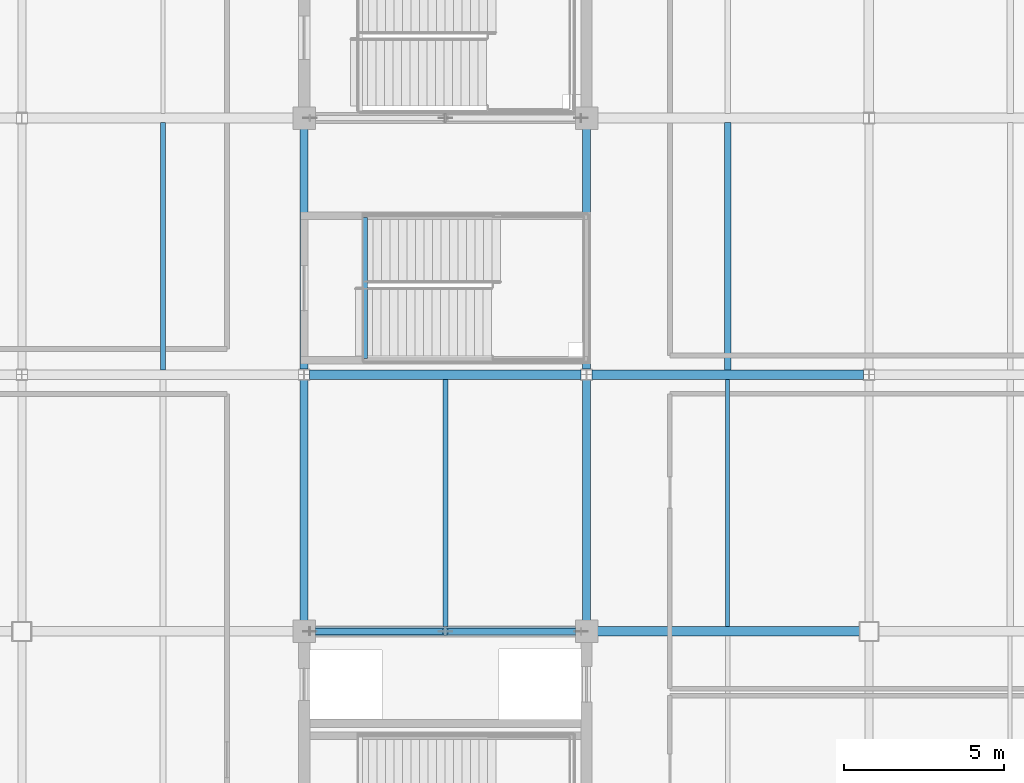
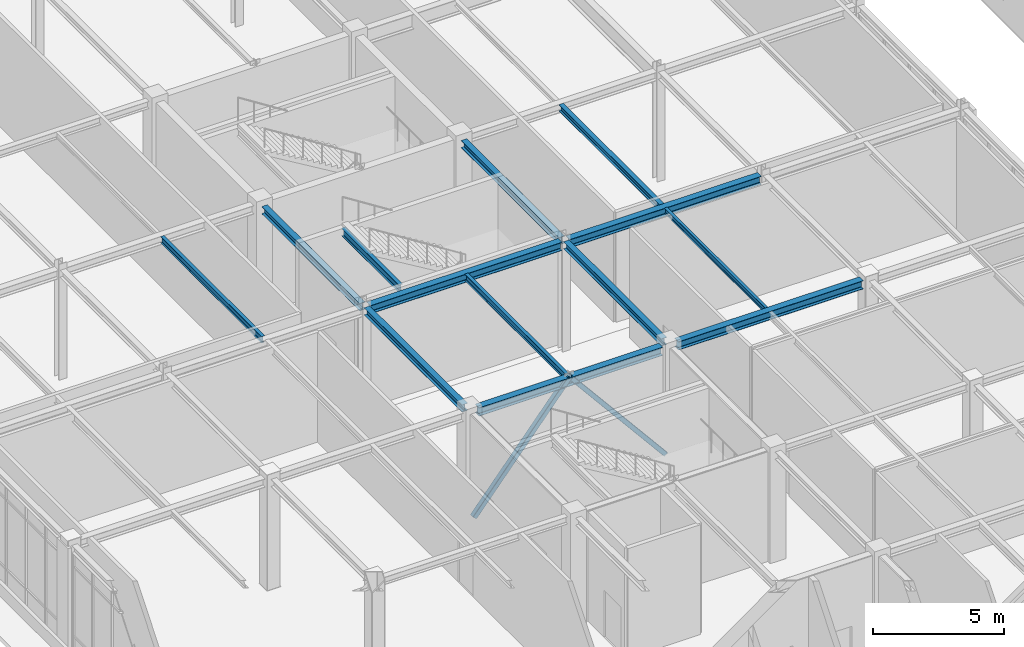
# One storey, part 38 of 108: 13 beams, 2 members.
"""IFC4 building model written with IfcOpenShell, lengths in metres."""

from ifc_helpers import new_model, si_unit, direction, frame, origin, origin_2d, place, context, subcontext, project, spatial, hollow_rectangle, i_section, extrude, material, material_profile, profile_set, type_object, element, save


model = new_model("IFC4")

# Units and contexts
model_context = context("Model", 3, precision=1e-05, world=origin(), true_north=direction((0.0, 1.0)))
body_context = subcontext(model_context, "Body", "Model", "MODEL_VIEW")
ifc_project = project(units=[si_unit("LENGTHUNIT", "METRE"), si_unit("AREAUNIT", "SQUARE_METRE"), si_unit("VOLUMEUNIT", "CUBIC_METRE"), si_unit("PLANEANGLEUNIT", "RADIAN"), si_unit("MASSUNIT", "GRAM", prefix="KILO")], contexts=[model_context])

# Site, building, storey
site_placement = place(None, origin())
site = spatial("IfcSite", under=ifc_project, at=site_placement, CompositionType="ELEMENT")
building_placement = place(site_placement, origin())
building = spatial("IfcBuilding", under=site, at=building_placement, Name="Zhaolan Boulevard Law Courts", CompositionType="ELEMENT")
storey_placement = place(building_placement, frame((0.0, 0.0, 10.800048828125)))
storey = spatial("IfcBuildingStorey", under=building, at=storey_placement, Name="L02", CompositionType="ELEMENT", Elevation=10.800048828125)

# Members
ifc_material_1 = material(Name="Structural steel Q355B", Category="steel")
ifc_material_profile_1 = material_profile(ifc_material_1, hollow_rectangle(XDim=0.199951171875, YDim=0.199951171875, WallThickness=0.010009765625, InnerFilletRadius=0.010009765625, OuterFilletRadius=0.02001953125, at=origin_2d()), Name="HSS200x200x10")
ifc_profile_set_1 = profile_set([ifc_material_profile_1], Name="Structural steel Q355B")
member_type_1 = type_object("IfcMemberType", Name="BRACE HSS200", PredefinedType="BRACE", material=ifc_profile_set_1)
member_1_placement = place(storey_placement, frame((26.219970703125, 70.0, 0.030029296875), z_axis=(-0.638257420724, 0.0, 0.769823008808), x_axis=(0.0, -1.0, 0.0)))
element("IfcMember", 1, at=member_1_placement, inside=storey, type_object=member_type_1, Name="Core Brace BR-W2-L02-N2", PredefinedType="BRACE", context=body_context, shape_type="SweptSolid", body=[
    extrude(hollow_rectangle(XDim=0.199951171875, YDim=0.199951171875, WallThickness=0.010009765625, InnerFilletRadius=0.010009765625, OuterFilletRadius=0.02001953125, at=origin_2d()), origin(), (0.0, 0.0, 1.0), 6.61181640625),
])
ifc_material_2 = material(Name="Structural steel Q355B", Category="steel")
ifc_material_profile_2 = material_profile(ifc_material_2, hollow_rectangle(XDim=0.219970703125, YDim=0.219970703125, WallThickness=0.010009765625, InnerFilletRadius=0.010009765625, OuterFilletRadius=0.02001953125, at=origin_2d()), Name="HSS220x220x10")
ifc_profile_set_2 = profile_set([ifc_material_profile_2], Name="Structural steel Q355B")
member_type_2 = type_object("IfcMemberType", Name="BRACE HSS220", PredefinedType="BRACE", material=ifc_profile_set_2)
member_2_placement = place(storey_placement, frame((17.780029296875, 70.0, 0.030029296875), z_axis=(0.638257420724, 0.0, 0.769823008808), x_axis=(0.0, 1.0, 0.0)))
element("IfcMember", 2, at=member_2_placement, inside=storey, type_object=member_type_2, Name="Core Brace BR-W2-L02-N1", PredefinedType="BRACE", context=body_context, shape_type="SweptSolid", body=[
    extrude(hollow_rectangle(XDim=0.219970703125, YDim=0.219970703125, WallThickness=0.010009765625, InnerFilletRadius=0.010009765625, OuterFilletRadius=0.02001953125, at=origin_2d()), origin(), (0.0, 0.0, 1.0), 6.61181640625),
])

# Beams
ifc_material_3 = material(Name="Structural steel Q355B", Category="steel")
ifc_material_profile_3 = material_profile(ifc_material_3, i_section(OverallWidth=0.25, OverallDepth=0.340087890625, WebThickness=0.009033203125, FlangeThickness=0.013916015625, FilletRadius=0.01611328125, at=origin_2d()), Name="HM340x250")
ifc_profile_set_3 = profile_set([ifc_material_profile_3], Name="Structural steel Q355B")
beam_type_1 = type_object("IfcBeamType", Name="GIRDER HM340", PredefinedType="BEAM", material=ifc_profile_set_3)
for number, where, z_axis, x_axis, name in (
    (3, (17.60009765625, 70.345947265625, 4.968017578125), (0.0, 1.0, 0.0), (-1.0, 0.0, 0.0), "Beam BY-L03-3-K-L"),
    (4, (17.60009765625, 78.1708984375, 4.947998046875), (0.0, 1.0, 0.0), (-1.0, 0.0, 0.0), "Beam BY-L03-3-L-M"),
    (5, (26.39990234375, 70.345947265625, 4.968017578125), (0.0, 1.0, 0.0), (-1.0, 0.0, 0.0), "Beam BY-L03-4-K-L"),
    (6, (26.39990234375, 78.1708984375, 4.947998046875), (0.0, 1.0, 0.0), (-1.0, 0.0, 0.0), "Beam BY-L03-4-L-M"),
):
    element("IfcBeam", number, at=place(storey_placement, frame(where, z_axis=z_axis, x_axis=x_axis)), inside=storey, type_object=beam_type_1, Name=name, PredefinedType="BEAM", context=body_context, shape_type="SweptSolid", body=[
        extrude(i_section(OverallWidth=0.25, OverallDepth=0.340087890625, WebThickness=0.009033203125, FlangeThickness=0.013916015625, FilletRadius=0.01611328125, at=origin_2d()), origin(), (0.0, 0.0, 1.0), 7.483154296875),
    ])
ifc_material_4 = material(Name="Structural steel Q355B", Category="steel")
ifc_material_profile_4 = material_profile(ifc_material_4, i_section(OverallWidth=0.300048828125, OverallDepth=0.389892578125, WebThickness=0.010009765625, FlangeThickness=0.01611328125, FilletRadius=0.01806640625, at=origin_2d()), Name="HM390x300")
ifc_profile_set_4 = profile_set([ifc_material_profile_4], Name="Structural steel Q355B")
beam_type_2 = type_object("IfcBeamType", Name="GIRDER HM390", PredefinedType="BEAM", material=ifc_profile_set_4)
beam_1_placement = place(storey_placement, frame((17.946044921875, 70.0, 4.94287109375), z_axis=(1.0, 0.0, 0.0), x_axis=(0.0, 1.0, 0.0)))
element("IfcBeam", 7, at=beam_1_placement, inside=storey, type_object=beam_type_2, Name="Beam BX-L03-3-4-K", PredefinedType="BEAM", context=body_context, shape_type="SweptSolid", body=[
    extrude(i_section(OverallWidth=0.300048828125, OverallDepth=0.389892578125, WebThickness=0.010009765625, FlangeThickness=0.01611328125, FilletRadius=0.01806640625, at=origin_2d()), origin(), (0.0, 0.0, 1.0), 8.10791015625),
])
beam_2_placement = place(storey_placement, frame((26.74609375, 70.0, 4.94287109375), z_axis=(1.0, 0.0, 0.0), x_axis=(0.0, 1.0, 0.0)))
element("IfcBeam", 8, at=beam_2_placement, inside=storey, type_object=beam_type_2, Name="Beam BX-L03-4-5-K", PredefinedType="BEAM", context=body_context, shape_type="SweptSolid", body=[
    extrude(i_section(OverallWidth=0.300048828125, OverallDepth=0.389892578125, WebThickness=0.010009765625, FlangeThickness=0.01611328125, FilletRadius=0.01806640625, at=origin_2d()), origin(), (0.0, 0.0, 1.0), 8.157958984375),
])
for number, where, z_axis, x_axis, name in (
    (9, (17.77099609375, 78.0, 4.9228515625), (1.0, 0.0, 0.0), (0.0, 1.0, 0.0), "Beam BX-L03-3-4-L"),
    (10, (26.571044921875, 78.0, 4.9228515625), (1.0, 0.0, 0.0), (0.0, 1.0, 0.0), "Beam BX-L03-4-5-L"),
):
    element("IfcBeam", number, at=place(storey_placement, frame(where, z_axis=z_axis, x_axis=x_axis)), inside=storey, type_object=beam_type_2, Name=name, PredefinedType="BEAM", context=body_context, shape_type="SweptSolid", body=[
        extrude(i_section(OverallWidth=0.300048828125, OverallDepth=0.389892578125, WebThickness=0.010009765625, FlangeThickness=0.01611328125, FilletRadius=0.01806640625, at=origin_2d()), origin(), (0.0, 0.0, 1.0), 8.4580078125),
    ])
ifc_material_5 = material(Name="Structural steel Q355B", Category="steel")
ifc_material_profile_5 = material_profile(ifc_material_5, i_section(OverallWidth=0.199951171875, OverallDepth=0.2939453125, WebThickness=0.008056640625, FlangeThickness=0.011962890625, FilletRadius=0.01611328125, at=origin_2d()), Name="HM294x200")
ifc_profile_set_5 = profile_set([ifc_material_profile_5], Name="Structural steel Q355B")
beam_type_3 = type_object("IfcBeamType", Name="JOIST HM294", PredefinedType="JOIST", material=ifc_profile_set_5)
beam_3_placement = place(storey_placement, frame((30.800048828125, 78.14599609375, 4.970947265625), z_axis=(0.0, 1.0, 0.0), x_axis=(-1.0, 0.0, 0.0)))
element("IfcBeam", 11, at=beam_3_placement, inside=storey, type_object=beam_type_3, Name="Composite Joist J-L03-4L", PredefinedType="JOIST", context=body_context, shape_type="SweptSolid", body=[
    extrude(i_section(OverallWidth=0.199951171875, OverallDepth=0.2939453125, WebThickness=0.008056640625, FlangeThickness=0.011962890625, FilletRadius=0.01611328125, at=origin_2d()), origin(), (0.0, 0.0, 1.0), 7.7080078125),
])
ifc_material_6 = material(Name="Structural steel Q355B", Category="steel")
ifc_material_profile_6 = material_profile(ifc_material_6, i_section(OverallWidth=0.125, OverallDepth=0.25, WebThickness=0.006103515625, FlangeThickness=0.009033203125, FilletRadius=0.010009765625, at=origin_2d()), Name="HN250x125")
ifc_profile_set_6 = profile_set([ifc_material_profile_6], Name="Structural steel Q355B")
beam_type_4 = type_object("IfcBeamType", Name="JOIST HN250", PredefinedType="JOIST", material=ifc_profile_set_6)
beam_4_placement = place(storey_placement, frame((30.800048828125, 70.14599609375, 5.012939453125), z_axis=(0.0, 1.0, 0.0), x_axis=(-1.0, 0.0, 0.0)))
element("IfcBeam", 12, at=beam_4_placement, inside=storey, type_object=beam_type_4, Name="Composite Joist J-L03-4K", PredefinedType="JOIST", context=body_context, shape_type="SweptSolid", body=[
    extrude(i_section(OverallWidth=0.125, OverallDepth=0.25, WebThickness=0.006103515625, FlangeThickness=0.009033203125, FilletRadius=0.010009765625, at=origin_2d()), origin(), (0.0, 0.0, 1.0), 7.7080078125),
])
ifc_material_7 = material(Name="Structural steel Q355B", Category="steel")
ifc_material_profile_7 = material_profile(ifc_material_7, i_section(OverallWidth=0.14990234375, OverallDepth=0.300048828125, WebThickness=0.006591796875, FlangeThickness=0.009033203125, FilletRadius=0.010986328125, at=origin_2d()), Name="HN300x150")
ifc_profile_set_7 = profile_set([ifc_material_profile_7], Name="Structural steel Q355B")
beam_type_5 = type_object("IfcBeamType", Name="JOIST HN300", PredefinedType="JOIST", material=ifc_profile_set_7)
for number, where, z_axis, x_axis, name in (
    (13, (13.199951171875, 78.14599609375, 4.968017578125), (0.0, 1.0, 0.0), (-1.0, 0.0, 0.0), "Composite Joist J-L03-2L"),
    (14, (22.0, 70.14599609375, 4.988037109375), (0.0, 1.0, 0.0), (-1.0, 0.0, 0.0), "Composite Joist J-L03-3K"),
):
    element("IfcBeam", number, at=place(storey_placement, frame(where, z_axis=z_axis, x_axis=x_axis)), inside=storey, type_object=beam_type_5, Name=name, PredefinedType="JOIST", context=body_context, shape_type="SweptSolid", body=[
        extrude(i_section(OverallWidth=0.14990234375, OverallDepth=0.300048828125, WebThickness=0.006591796875, FlangeThickness=0.009033203125, FilletRadius=0.010986328125, at=origin_2d()), origin(), (0.0, 0.0, 1.0), 7.7080078125),
    ])
ifc_material_8 = material(Name="Structural steel Q355B", Category="steel")
ifc_material_profile_8 = material_profile(ifc_material_8, i_section(OverallWidth=0.175048828125, OverallDepth=0.35009765625, WebThickness=0.007080078125, FlangeThickness=0.010986328125, FilletRadius=0.012939453125, at=origin_2d()), Name="HN350x175")
ifc_profile_set_8 = profile_set([ifc_material_profile_8], Name="Structural steel Q355B")
beam_type_6 = type_object("IfcBeamType", Name="STAIR TRIMMER HN350", PredefinedType="BEAM", material=ifc_profile_set_8)
beam_5_placement = place(storey_placement, frame((19.485107421875, 78.5, 4.93505859375), z_axis=(0.0, 1.0, 0.0), x_axis=(-1.0, 0.0, 0.0)))
element("IfcBeam", 15, at=beam_5_placement, inside=storey, type_object=beam_type_6, Name="Stair Landing Trimmer Beam STB-ST12-L03", PredefinedType="BEAM", context=body_context, shape_type="SweptSolid", body=[
    extrude(i_section(OverallWidth=0.175048828125, OverallDepth=0.35009765625, WebThickness=0.007080078125, FlangeThickness=0.010986328125, FilletRadius=0.012939453125, at=origin_2d()), origin(), (0.0, 0.0, 1.0), 4.39990234375),
])

save(model, "model.ifc")
